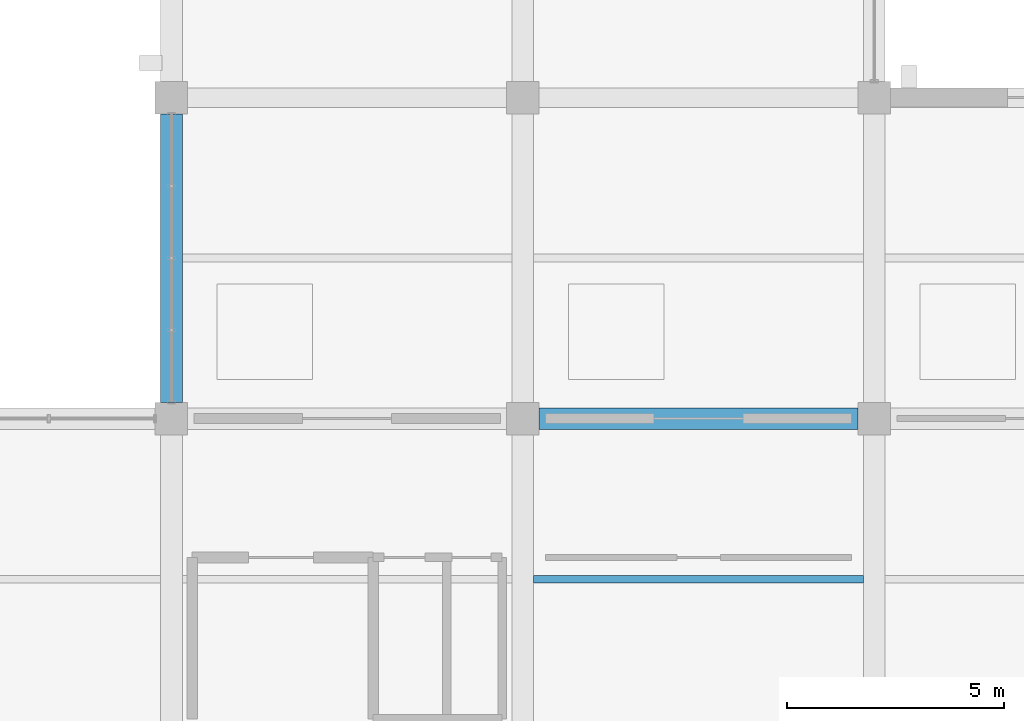
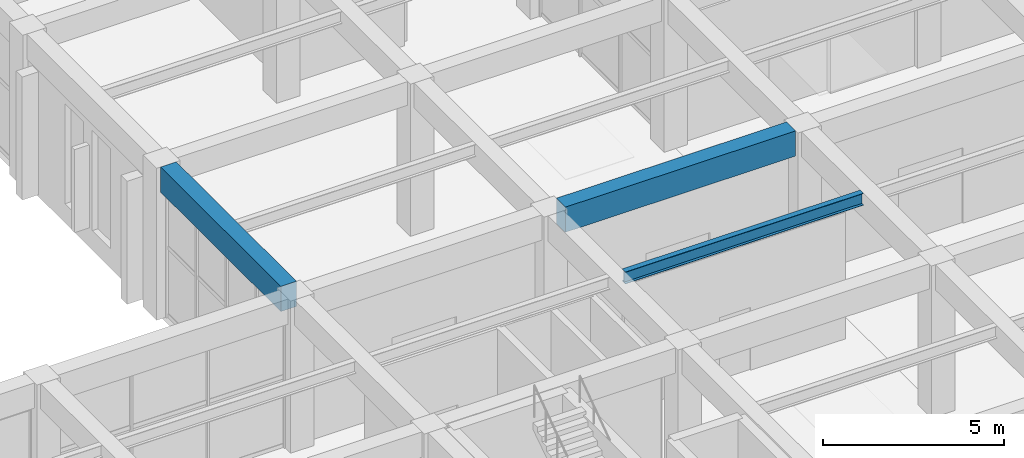
# One storey, part 17 of 140: 3 beams.
"""IFC4 building model written with IfcOpenShell, lengths in metres."""

from ifc_helpers import new_model, si_unit, direction, frame, origin, origin_2d, place, context, subcontext, project, spatial, rectangle, i_section, extrude, material, material_profile, profile_set, type_object, element, save


model = new_model("IFC4")

# Units and contexts
model_context = context("Model", 3, precision=1e-05, world=origin(), true_north=direction((0.0, 1.0)))
body_context = subcontext(model_context, "Body", "Model", "MODEL_VIEW")
ifc_project = project(units=[si_unit("LENGTHUNIT", "METRE"), si_unit("AREAUNIT", "SQUARE_METRE"), si_unit("VOLUMEUNIT", "CUBIC_METRE"), si_unit("PLANEANGLEUNIT", "RADIAN"), si_unit("MASSUNIT", "GRAM", prefix="KILO")], contexts=[model_context])

# Site, building, storey
site_placement = place(None, origin())
site = spatial("IfcSite", under=ifc_project, at=site_placement, CompositionType="ELEMENT")
building_placement = place(site_placement, origin())
building = spatial("IfcBuilding", under=site, at=building_placement, Name="Cimatlan Art Gallery", CompositionType="ELEMENT")
storey_placement = place(building_placement, origin())
storey = spatial("IfcBuildingStorey", under=building, at=storey_placement, Name="L00", CompositionType="ELEMENT", Elevation=0.0)

# Beams
ifc_material_1 = material(Name="Concrete C40/50", Category="concrete")
ifc_material_profile_1 = material_profile(ifc_material_1, rectangle(XDim=0.5, YDim=0.85009765625, at=origin_2d()), Name="RC500X850")
ifc_profile_set_1 = profile_set([ifc_material_profile_1], Name="Concrete C40/50")
beam_type_1 = type_object("IfcBeamType", Name="BM-RC-500X850", PredefinedType="BEAM", material=ifc_profile_set_1)
beam_1_placement = place(storey_placement, frame((34.39990234375, 39.074951171875, 4.7099609375), z_axis=(0.0, 1.0, 0.0), x_axis=(-1.0, 0.0, 0.0)))
element("IfcBeam", 1, at=beam_1_placement, inside=storey, type_object=beam_type_1, Name="BM-Y-L00-04-05", PredefinedType="BEAM", context=body_context, shape_type="SweptSolid", body=[
    extrude(rectangle(XDim=0.5, YDim=0.85009765625, at=origin_2d()), origin(), (0.0, 0.0, 1.0), 6.650146484375),
])
beam_2_placement = place(storey_placement, frame((42.875, 38.699951171875, 4.7099609375), z_axis=(1.0, 0.0, 0.0), x_axis=(0.0, 1.0, 0.0)))
element("IfcBeam", 2, at=beam_2_placement, inside=storey, type_object=beam_type_1, Name="BM-X-L00-05-05", PredefinedType="BEAM", context=body_context, shape_type="SweptSolid", body=[
    extrude(rectangle(XDim=0.5, YDim=0.85009765625, at=origin_2d()), origin(), (0.0, 0.0, 1.0), 7.35009765625),
])
ifc_material_2 = material(Name="Steel ASTM A992 Grade 50", Category="steel")
ifc_material_profile_2 = material_profile(ifc_material_2, i_section(OverallWidth=0.177978515625, OverallDepth=0.406982421875, WebThickness=0.0078125, FlangeThickness=0.0126953125, at=origin_2d()), Name="W16X40")
ifc_profile_set_2 = profile_set([ifc_material_profile_2], Name="Steel ASTM A992 Grade 50")
beam_type_2 = type_object("IfcBeamType", Name="BM-STL-W16X40", PredefinedType="JOIST", material=ifc_profile_set_2)
beam_3_placement = place(storey_placement, frame((42.75, 35.0, 4.931396484375), z_axis=(1.0, 0.0, 0.0), x_axis=(0.0, 1.0, 0.0)))
element("IfcBeam", 3, at=beam_3_placement, inside=storey, type_object=beam_type_2, Name="JST-L00-05-04", PredefinedType="JOIST", context=body_context, shape_type="SweptSolid", body=[
    extrude(i_section(OverallWidth=0.177978515625, OverallDepth=0.406982421875, WebThickness=0.0078125, FlangeThickness=0.0126953125, at=origin_2d()), origin(), (0.0, 0.0, 1.0), 7.60009765625),
])

save(model, "model.ifc")
